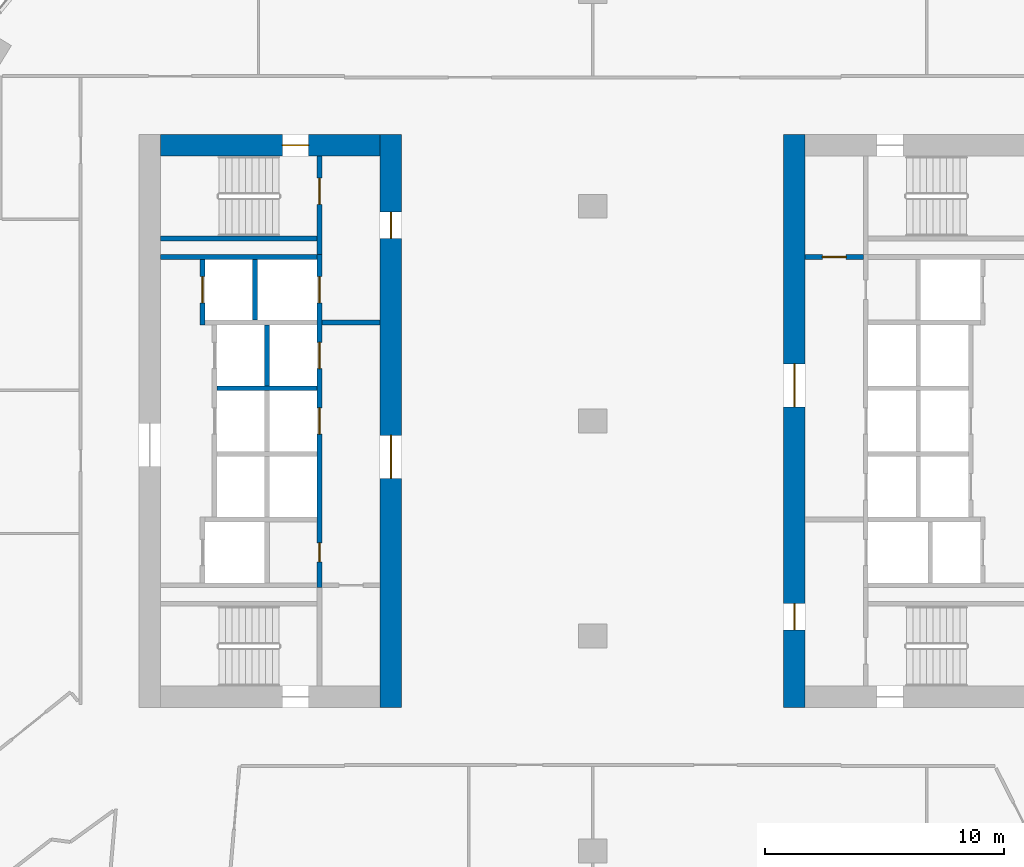
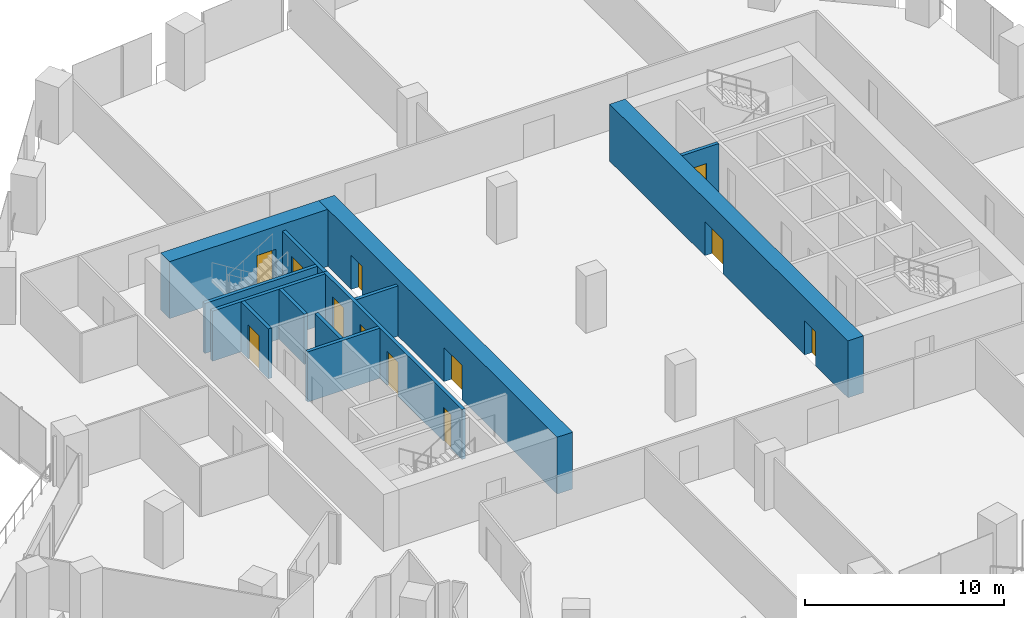
# One storey, part 25 of 34: 13 walls, 12 doors, 12 openings.
"""IFC4 building model written with IfcOpenShell, lengths in metres."""

from ifc_helpers import new_model, si_unit, direction, frame, frame_2d, origin, place, context, subcontext, project, spatial, rectangle, extrude, material, layer, layer_set, type_object, element, fill, save


model = new_model("IFC4")

# Units and contexts
model_context = context("Model", 3, precision=1e-05, world=origin(), true_north=direction((0.0, 1.0)))
body_context = subcontext(model_context, "Body", "Model", "MODEL_VIEW")
ifc_project = project(units=[si_unit("LENGTHUNIT", "METRE"), si_unit("AREAUNIT", "SQUARE_METRE"), si_unit("VOLUMEUNIT", "CUBIC_METRE"), si_unit("PLANEANGLEUNIT", "RADIAN"), si_unit("MASSUNIT", "GRAM", prefix="KILO")], contexts=[model_context])

# Site, building, storey
site_placement = place(None, origin())
site = spatial("IfcSite", under=ifc_project, at=site_placement, CompositionType="ELEMENT")
building_placement = place(site_placement, origin())
building = spatial("IfcBuilding", under=site, at=building_placement, Name="Orlundy Tower", CompositionType="ELEMENT")
storey_placement = place(building_placement, frame((0.0, 0.0, 37.300048828125)))
storey = spatial("IfcBuildingStorey", under=building, at=storey_placement, Name="L07", CompositionType="ELEMENT", Elevation=37.300048828125)

# Wall, opening, door
ifc_material_1 = material(Name="Concrete C80/95", Category="concrete")
ifc_layer_1 = layer(ifc_material_1, 0.89990234375)
ifc_layer_set_1 = layer_set([ifc_layer_1], Name="CORE WALL 900 C80/95")
wall_type_1 = type_object("IfcWallType", Name="CORE WALL 900 C80/95", PredefinedType="SHEAR", material=ifc_layer_set_1)
wall_1_placement = place(storey_placement, frame((-18.10009765625, 11.550048828125, 0.0), z_axis=(0.0, 0.0, 1.0), x_axis=(1.0, 0.0, 0.0)))
wall_1 = element("IfcWall", 1, at=wall_1_placement, inside=storey, type_object=wall_type_1, Name="Core wall W-N L07", PredefinedType="SHEAR", context=body_context, shape_type="SweptSolid", body=[
    extrude(rectangle(XDim=9.2001953125, YDim=0.89990234375, at=frame_2d((4.60009765625, 0.0))), origin(), (0.0, 0.0, 1.0), 3.5),
])
opening_1_placement = place(wall_1_placement, frame((5.10009765625, 0.0, 0.0)))
opening_1 = element("IfcOpeningElement", 2, at=opening_1_placement, cuts=wall_1, Name="Opening 08012", PredefinedType="OPENING", context=body_context, shape_type="SweptSolid", body=[
    extrude(rectangle(XDim=1.10009765625, YDim=2.10009765625, at=frame_2d((0.550048828125, 1.050048828125))), frame((0.0, 0.4599609375, 0.0), z_axis=(0.0, -1.0, 0.0), x_axis=(1.0, 0.0, 0.0)), (0.0, 0.0, 1.0), 0.919921875),
])
ifc_material_2 = material(Name="Steel door set", Category="steel")
door_type_1 = type_object("IfcDoorType", Name="Stair Door 1100x2100", OperationType="SINGLE_SWING_LEFT", PredefinedType="DOOR", material=ifc_material_2)
door_1_placement = place(opening_1_placement, origin())
door_1 = element("IfcDoor", 3, at=door_1_placement, inside=storey, type_object=door_type_1, Name="Stair door 08012", OperationType="SINGLE_SWING_RIGHT", OverallHeight=2.10009765625, OverallWidth=1.10009765625, PredefinedType="DOOR", context=body_context, shape_type="SweptSolid", body=[
    extrude(rectangle(XDim=1.10009765625, YDim=2.10009765625, at=frame_2d((0.550048828125, 1.050048828125))), frame((0.0, 0.02490234375, 0.0), z_axis=(0.0, -1.0, 0.0), x_axis=(1.0, 0.0, 0.0)), (0.0, 0.0, 1.0), 0.050048828125),
])
fill(opening_1, door_1)

# Wall, openings, doors
wall_2_placement = place(storey_placement, frame((-8.449951171875, -12.0, 0.0), z_axis=(0.0, 0.0, 1.0), x_axis=(0.0, 1.0, 0.0)))
wall_2 = element("IfcWall", 4, at=wall_2_placement, inside=storey, type_object=wall_type_1, Name="Core wall W-E L07", PredefinedType="SHEAR", context=body_context, shape_type="SweptSolid", body=[
    extrude(rectangle(XDim=24.0, YDim=0.89990234375, at=frame_2d((12.0, 0.0))), origin(), (0.0, 0.0, 1.0), 3.5),
])
opening_2_placement = place(wall_2_placement, frame((9.60009765625, 0.0, 0.0)))
opening_2 = element("IfcOpeningElement", 5, at=opening_2_placement, cuts=wall_2, Name="Opening 08009", PredefinedType="OPENING", context=body_context, shape_type="SweptSolid", body=[
    extrude(rectangle(XDim=1.800048828125, YDim=2.10009765625, at=frame_2d((0.89990234375, 1.050048828125))), frame((0.0, 0.4599609375, 0.0), z_axis=(0.0, -1.0, 0.0), x_axis=(1.0, 0.0, 0.0)), (0.0, 0.0, 1.0), 0.919921875),
])
opening_3_placement = place(wall_2_placement, frame((19.64990234375, 0.0, 0.0)))
opening_3 = element("IfcOpeningElement", 6, at=opening_3_placement, cuts=wall_2, Name="Opening 08011", PredefinedType="OPENING", context=body_context, shape_type="SweptSolid", body=[
    extrude(rectangle(XDim=1.10009765625, YDim=2.10009765625, at=frame_2d((0.550048828125, 1.050048828125))), frame((0.0, 0.4599609375, 0.0), z_axis=(0.0, -1.0, 0.0), x_axis=(1.0, 0.0, 0.0)), (0.0, 0.0, 1.0), 0.919921875),
])
ifc_material_3 = material(Name="Steel door set", Category="steel")
door_type_2 = type_object("IfcDoorType", Name="Fire-fighting Lobby Door 1100x2100", OperationType="SINGLE_SWING_LEFT", PredefinedType="DOOR", material=ifc_material_3)
door_2_placement = place(opening_3_placement, origin())
door_2 = element("IfcDoor", 7, at=door_2_placement, inside=storey, type_object=door_type_2, Name="Fire-fighting lobby door 08011", OperationType="SINGLE_SWING_RIGHT", OverallHeight=2.10009765625, OverallWidth=1.10009765625, PredefinedType="DOOR", context=body_context, shape_type="SweptSolid", body=[
    extrude(rectangle(XDim=1.10009765625, YDim=2.10009765625, at=frame_2d((0.550048828125, 1.050048828125))), frame((0.0, 0.02490234375, 0.0), z_axis=(0.0, -1.0, 0.0), x_axis=(1.0, 0.0, 0.0)), (0.0, 0.0, 1.0), 0.050048828125),
])
fill(opening_3, door_2)
ifc_material_4 = material(Name="Timber door set", Category="wood")
door_type_3 = type_object("IfcDoorType", Name="Lobby Door 1800x2100", OperationType="DOUBLE_DOOR_DOUBLE_SWING", PredefinedType="DOOR", material=ifc_material_4)
door_3_placement = place(opening_2_placement, origin())
door_3 = element("IfcDoor", 8, at=door_3_placement, inside=storey, type_object=door_type_3, Name="Lift lobby door 08009", OperationType="SINGLE_SWING_LEFT", OverallHeight=2.10009765625, OverallWidth=1.800048828125, PredefinedType="DOOR", context=body_context, shape_type="SweptSolid", body=[
    extrude(rectangle(XDim=1.800048828125, YDim=2.10009765625, at=frame_2d((0.89990234375, 1.050048828125))), frame((0.0, 0.02490234375, 0.0), z_axis=(0.0, -1.0, 0.0), x_axis=(1.0, 0.0, 0.0)), (0.0, 0.0, 1.0), 0.050048828125),
])
fill(opening_2, door_3)

wall_3_placement = place(storey_placement, frame((8.449951171875, -12.0, 0.0), z_axis=(0.0, 0.0, 1.0), x_axis=(0.0, 1.0, 0.0)))
wall_3 = element("IfcWall", 9, at=wall_3_placement, inside=storey, type_object=wall_type_1, Name="Core wall E-W L07", PredefinedType="SHEAR", context=body_context, shape_type="SweptSolid", body=[
    extrude(rectangle(XDim=24.0, YDim=0.89990234375, at=frame_2d((12.0, 0.0))), origin(), (0.0, 0.0, 1.0), 3.5),
])
opening_4_placement = place(wall_3_placement, frame((12.60009765625, 0.0, 0.0)))
opening_4 = element("IfcOpeningElement", 10, at=opening_4_placement, cuts=wall_3, Name="Opening 08058", PredefinedType="OPENING", context=body_context, shape_type="SweptSolid", body=[
    extrude(rectangle(XDim=1.800048828125, YDim=2.10009765625, at=frame_2d((0.89990234375, 1.050048828125))), frame((0.0, 0.4599609375, 0.0), z_axis=(0.0, -1.0, 0.0), x_axis=(1.0, 0.0, 0.0)), (0.0, 0.0, 1.0), 0.919921875),
])
opening_5_placement = place(wall_3_placement, frame((3.25, 0.0, 0.0)))
opening_5 = element("IfcOpeningElement", 11, at=opening_5_placement, cuts=wall_3, Name="Opening 08060", PredefinedType="OPENING", context=body_context, shape_type="SweptSolid", body=[
    extrude(rectangle(XDim=1.10009765625, YDim=2.10009765625, at=frame_2d((0.550048828125, 1.050048828125))), frame((0.0, 0.4599609375, 0.0), z_axis=(0.0, -1.0, 0.0), x_axis=(1.0, 0.0, 0.0)), (0.0, 0.0, 1.0), 0.919921875),
])
door_4_placement = place(opening_5_placement, origin())
door_4 = element("IfcDoor", 12, at=door_4_placement, inside=storey, type_object=door_type_2, Name="Fire-fighting lobby door 08060", OperationType="SINGLE_SWING_LEFT", OverallHeight=2.10009765625, OverallWidth=1.10009765625, PredefinedType="DOOR", context=body_context, shape_type="SweptSolid", body=[
    extrude(rectangle(XDim=1.10009765625, YDim=2.10009765625, at=frame_2d((0.550048828125, 1.050048828125))), frame((0.0, 0.02490234375, 0.0), z_axis=(0.0, -1.0, 0.0), x_axis=(1.0, 0.0, 0.0)), (0.0, 0.0, 1.0), 0.050048828125),
])
fill(opening_5, door_4)
door_5_placement = place(opening_4_placement, origin())
door_5 = element("IfcDoor", 13, at=door_5_placement, inside=storey, type_object=door_type_3, Name="Lift lobby door 08058", OperationType="SINGLE_SWING_RIGHT", OverallHeight=2.10009765625, OverallWidth=1.800048828125, PredefinedType="DOOR", context=body_context, shape_type="SweptSolid", body=[
    extrude(rectangle(XDim=1.800048828125, YDim=2.10009765625, at=frame_2d((0.89990234375, 1.050048828125))), frame((0.0, 0.02490234375, 0.0), z_axis=(0.0, -1.0, 0.0), x_axis=(1.0, 0.0, 0.0)), (0.0, 0.0, 1.0), 0.050048828125),
])
fill(opening_4, door_5)

# Wall, opening, door
ifc_material_5 = material(Name="Concrete C40/50", Category="concrete")
ifc_layer_2 = layer(ifc_material_5, 0.199951171875)
ifc_layer_set_2 = layer_set([ifc_layer_2], Name="Load-bearing Shaft Wall 200")
wall_type_2 = type_object("IfcWallType", Name="Load-bearing Shaft Wall 200", PredefinedType="SOLIDWALL", material=ifc_layer_set_2)
wall_4_placement = place(storey_placement, frame((-11.43994140625, 6.97509765625, 0.0), z_axis=(0.0, 0.0, 1.0), x_axis=(0.0, 1.0, 0.0)))
wall_4 = element("IfcWall", 14, at=wall_4_placement, inside=storey, type_object=wall_type_2, Name="Shaft wall W08-stair-end-n", PredefinedType="SOLIDWALL", context=body_context, shape_type="SweptSolid", body=[
    extrude(rectangle(XDim=4.125, YDim=0.199951171875, at=frame_2d((2.0625, 0.0))), origin(), (0.0, 0.0, 1.0), 3.079833984375),
])
opening_6_placement = place(wall_4_placement, frame((2.10009765625, 0.0, 0.0)))
opening_6 = element("IfcOpeningElement", 15, at=opening_6_placement, cuts=wall_4, Name="Opening 08014", PredefinedType="OPENING", context=body_context, shape_type="SweptSolid", body=[
    extrude(rectangle(XDim=1.10009765625, YDim=2.10009765625, at=frame_2d((0.550048828125, 1.050048828125))), frame((0.0, 0.110107421875, 0.0), z_axis=(0.0, -1.0, 0.0), x_axis=(1.0, 0.0, 0.0)), (0.0, 0.0, 1.0), 0.22021484375),
])
door_6_placement = place(opening_6_placement, origin())
door_6 = element("IfcDoor", 16, at=door_6_placement, inside=storey, type_object=door_type_2, Name="Fire-fighting lobby to stair door 08014", OperationType="SINGLE_SWING_RIGHT", OverallHeight=2.10009765625, OverallWidth=1.10009765625, PredefinedType="DOOR", context=body_context, shape_type="SweptSolid", body=[
    extrude(rectangle(XDim=1.10009765625, YDim=2.10009765625, at=frame_2d((0.550048828125, 1.050048828125))), frame((0.0, 0.02490234375, 0.0), z_axis=(0.0, -1.0, 0.0), x_axis=(1.0, 0.0, 0.0)), (0.0, 0.0, 1.0), 0.050048828125),
])
fill(opening_6, door_6)

# Walls
wall_5_placement = place(storey_placement, frame((-11.5400390625, 7.64990234375, 0.0), z_axis=(0.0, 0.0, 1.0), x_axis=(-1.0, 0.0, 0.0)))
element("IfcWall", 17, at=wall_5_placement, inside=storey, type_object=wall_type_2, Name="Shaft wall W08-stair-side-n", PredefinedType="SOLIDWALL", context=body_context, shape_type="SweptSolid", body=[
    extrude(rectangle(XDim=6.56005859375, YDim=0.199951171875, at=frame_2d((3.280029296875, 0.0))), origin(), (0.0, 0.0, 1.0), 3.079833984375),
])
ifc_material_6 = material(Name="Gypsum board partition on steel studs", Category="steel")
ifc_layer_3 = layer(ifc_material_6, 0.199951171875)
ifc_layer_set_3 = layer_set([ifc_layer_3], Name="Partition 200")
wall_type_3 = type_object("IfcWallType", Name="Partition 200", PredefinedType="PARTITIONING", material=ifc_layer_set_3)
wall_6_placement = place(storey_placement, frame((-8.89990234375, 4.125, 0.0), z_axis=(0.0, 0.0, 1.0), x_axis=(-1.0, 0.0, 0.0)))
element("IfcWall", 18, at=wall_6_placement, inside=storey, type_object=wall_type_3, Name="Partition wall W08-lobby-n", PredefinedType="PARTITIONING", context=body_context, shape_type="SweptSolid", body=[
    extrude(rectangle(XDim=2.440185546875, YDim=0.199951171875, at=frame_2d((1.22021484375, 0.0))), origin(), (0.0, 0.0, 1.0), 3.079833984375),
])

# Wall, opening, door
wall_7_placement = place(storey_placement, frame((8.89990234375, 6.875, 0.0), z_axis=(0.0, 0.0, 1.0), x_axis=(1.0, 0.0, 0.0)))
wall_7 = element("IfcWall", 19, at=wall_7_placement, inside=storey, type_object=wall_type_3, Name="Partition wall E08-end-s", PredefinedType="PARTITIONING", context=body_context, shape_type="SweptSolid", body=[
    extrude(rectangle(XDim=2.440185546875, YDim=0.199951171875, at=frame_2d((1.22021484375, 0.0))), origin(), (0.0, 0.0, 1.0), 3.079833984375),
])
opening_7_placement = place(wall_7_placement, frame((0.719970703125, 0.0, 0.0)))
opening_7 = element("IfcOpeningElement", 20, at=opening_7_placement, cuts=wall_7, Name="Opening 08064", PredefinedType="OPENING", context=body_context, shape_type="SweptSolid", body=[
    extrude(rectangle(XDim=1.0, YDim=2.10009765625, at=frame_2d((0.5, 1.050048828125))), frame((0.0, 0.110107421875, 0.0), z_axis=(0.0, -1.0, 0.0), x_axis=(1.0, 0.0, 0.0)), (0.0, 0.0, 1.0), 0.22021484375),
])
ifc_material_7 = material(Name="Timber door set", Category="wood")
door_type_4 = type_object("IfcDoorType", Name="Accessible Door 1000x2100", OperationType="SINGLE_SWING_LEFT", PredefinedType="DOOR", material=ifc_material_7)
door_7_placement = place(opening_7_placement, origin())
door_7 = element("IfcDoor", 21, at=door_7_placement, inside=storey, type_object=door_type_4, Name="Accessible WC door 08064", OperationType="SINGLE_SWING_RIGHT", OverallHeight=2.10009765625, OverallWidth=1.0, PredefinedType="DOOR", context=body_context, shape_type="SweptSolid", body=[
    extrude(rectangle(XDim=1.0, YDim=2.10009765625, at=frame_2d((0.5, 1.050048828125))), frame((0.0, 0.02490234375, 0.0), z_axis=(0.0, -1.0, 0.0), x_axis=(1.0, 0.0, 0.0)), (0.0, 0.0, 1.0), 0.050048828125),
])
fill(opening_7, door_7)

# Walls
ifc_material_8 = material(Name="Fire-rated blockwork shaft wall", Category="masonry")
ifc_layer_4 = layer(ifc_material_8, 0.199951171875)
ifc_layer_set_4 = layer_set([ifc_layer_4], Name="Shaft Wall 200")
wall_type_4 = type_object("IfcWallType", Name="Shaft Wall 200", PredefinedType="SOLIDWALL", material=ifc_layer_set_4)
wall_8_placement = place(storey_placement, frame((-11.5400390625, 6.875, 0.0), z_axis=(0.0, 0.0, 1.0), x_axis=(-1.0, 0.0, 0.0)))
element("IfcWall", 22, at=wall_8_placement, inside=storey, type_object=wall_type_4, Name="Shaft wall W08-zone-n", PredefinedType="SOLIDWALL", context=body_context, shape_type="SweptSolid", body=[
    extrude(rectangle(XDim=6.56005859375, YDim=0.199951171875, at=frame_2d((3.280029296875, 0.0))), origin(), (0.0, 0.0, 1.0), 3.079833984375),
])
wall_9_placement = place(storey_placement, frame((-11.5400390625, 1.375, 0.0), z_axis=(0.0, 0.0, 1.0), x_axis=(-1.0, 0.0, 0.0)))
element("IfcWall", 23, at=wall_9_placement, inside=storey, type_object=wall_type_4, Name="Shaft wall W08-cross+1.375", PredefinedType="SOLIDWALL", context=body_context, shape_type="SweptSolid", body=[
    extrude(rectangle(XDim=4.199951171875, YDim=0.199951171875, at=frame_2d((2.10009765625, 0.0))), origin(), (0.0, 0.0, 1.0), 3.079833984375),
])

# Wall, openings, doors
wall_10_placement = place(storey_placement, frame((-11.43994140625, -6.97509765625, 0.0), z_axis=(0.0, 0.0, 1.0), x_axis=(0.0, 1.0, 0.0)))
wall_10 = element("IfcWall", 24, at=wall_10_placement, inside=storey, type_object=wall_type_4, Name="Shaft wall W08-front-h", PredefinedType="SOLIDWALL", context=body_context, shape_type="SweptSolid", body=[
    extrude(rectangle(XDim=13.9501953125, YDim=0.199951171875, at=frame_2d((6.97509765625, 0.0))), origin(), (0.0, 0.0, 1.0), 3.079833984375),
])
opening_8_placement = place(wall_10_placement, frame((6.425048828125, 0.0, 0.0)))
opening_8 = element("IfcOpeningElement", 25, at=opening_8_placement, cuts=wall_10, Name="Opening 08002", PredefinedType="OPENING", context=body_context, shape_type="SweptSolid", body=[
    extrude(rectangle(XDim=1.10009765625, YDim=2.10009765625, at=frame_2d((0.550048828125, 1.050048828125))), frame((0.0, 0.110107421875, 0.0), z_axis=(0.0, -1.0, 0.0), x_axis=(1.0, 0.0, 0.0)), (0.0, 0.0, 1.0), 0.22021484375),
])
opening_9_placement = place(wall_10_placement, frame((9.175048828125, 0.0, 0.0)))
opening_9 = element("IfcOpeningElement", 26, at=opening_9_placement, cuts=wall_10, Name="Opening 08004", PredefinedType="OPENING", context=body_context, shape_type="SweptSolid", body=[
    extrude(rectangle(XDim=1.10009765625, YDim=2.10009765625, at=frame_2d((0.550048828125, 1.050048828125))), frame((0.0, 0.110107421875, 0.0), z_axis=(0.0, -1.0, 0.0), x_axis=(1.0, 0.0, 0.0)), (0.0, 0.0, 1.0), 0.22021484375),
])
opening_10_placement = place(wall_10_placement, frame((11.925048828125, 0.0, 0.0)))
opening_10 = element("IfcOpeningElement", 27, at=opening_10_placement, cuts=wall_10, Name="Opening 08006", PredefinedType="OPENING", context=body_context, shape_type="SweptSolid", body=[
    extrude(rectangle(XDim=1.10009765625, YDim=2.10009765625, at=frame_2d((0.550048828125, 1.050048828125))), frame((0.0, 0.110107421875, 0.0), z_axis=(0.0, -1.0, 0.0), x_axis=(1.0, 0.0, 0.0)), (0.0, 0.0, 1.0), 0.22021484375),
])
opening_11_placement = place(wall_10_placement, frame((1.074951171875, 0.0, 0.0)))
opening_11 = element("IfcOpeningElement", 28, at=opening_11_placement, cuts=wall_10, Name="Opening 08008", PredefinedType="OPENING", context=body_context, shape_type="SweptSolid", body=[
    extrude(rectangle(XDim=0.800048828125, YDim=2.10009765625, at=frame_2d((0.39990234375, 1.050048828125))), frame((0.0, 0.110107421875, 0.0), z_axis=(0.0, -1.0, 0.0), x_axis=(1.0, 0.0, 0.0)), (0.0, 0.0, 1.0), 0.22021484375),
])
ifc_material_9 = material(Name="Steel door set", Category="steel")
door_type_5 = type_object("IfcDoorType", Name="Landing Door 1100x2100", OperationType="DOUBLE_DOOR_SLIDING", PredefinedType="DOOR", material=ifc_material_9)
door_8_placement = place(opening_8_placement, origin())
door_8 = element("IfcDoor", 29, at=door_8_placement, inside=storey, type_object=door_type_5, Name="Lift landing door LP-05 08002", OperationType="DOUBLE_DOOR_SLIDING", OverallHeight=2.10009765625, OverallWidth=1.10009765625, PredefinedType="DOOR", context=body_context, shape_type="SweptSolid", body=[
    extrude(rectangle(XDim=1.10009765625, YDim=2.10009765625, at=frame_2d((0.550048828125, 1.050048828125))), frame((0.0, 0.02490234375, 0.0), z_axis=(0.0, -1.0, 0.0), x_axis=(1.0, 0.0, 0.0)), (0.0, 0.0, 1.0), 0.050048828125),
])
fill(opening_8, door_8)
door_9_placement = place(opening_9_placement, origin())
door_9 = element("IfcDoor", 30, at=door_9_placement, inside=storey, type_object=door_type_5, Name="Lift landing door LP-02 08004", OperationType="DOUBLE_DOOR_SLIDING", OverallHeight=2.10009765625, OverallWidth=1.10009765625, PredefinedType="DOOR", context=body_context, shape_type="SweptSolid", body=[
    extrude(rectangle(XDim=1.10009765625, YDim=2.10009765625, at=frame_2d((0.550048828125, 1.050048828125))), frame((0.0, 0.02490234375, 0.0), z_axis=(0.0, -1.0, 0.0), x_axis=(1.0, 0.0, 0.0)), (0.0, 0.0, 1.0), 0.050048828125),
])
fill(opening_9, door_9)
door_10_placement = place(opening_10_placement, origin())
door_10 = element("IfcDoor", 31, at=door_10_placement, inside=storey, type_object=door_type_5, Name="Lift landing door FL1 08006", OperationType="DOUBLE_DOOR_SLIDING", OverallHeight=2.10009765625, OverallWidth=1.10009765625, PredefinedType="DOOR", context=body_context, shape_type="SweptSolid", body=[
    extrude(rectangle(XDim=1.10009765625, YDim=2.10009765625, at=frame_2d((0.550048828125, 1.050048828125))), frame((0.0, 0.02490234375, 0.0), z_axis=(0.0, -1.0, 0.0), x_axis=(1.0, 0.0, 0.0)), (0.0, 0.0, 1.0), 0.050048828125),
])
fill(opening_10, door_10)
ifc_material_10 = material(Name="Timber door set", Category="wood")
door_type_6 = type_object("IfcDoorType", Name="Riser Door 800x2100", OperationType="SINGLE_SWING_LEFT", PredefinedType="DOOR", material=ifc_material_10)
door_11_placement = place(opening_11_placement, origin())
door_11 = element("IfcDoor", 32, at=door_11_placement, inside=storey, type_object=door_type_6, Name="Telecom Room door 08008", OperationType="SINGLE_SWING_LEFT", OverallHeight=2.10009765625, OverallWidth=0.800048828125, PredefinedType="DOOR", context=body_context, shape_type="SweptSolid", body=[
    extrude(rectangle(XDim=0.800048828125, YDim=2.10009765625, at=frame_2d((0.39990234375, 1.050048828125))), frame((0.0, 0.02490234375, 0.0), z_axis=(0.0, -1.0, 0.0), x_axis=(1.0, 0.0, 0.0)), (0.0, 0.0, 1.0), 0.050048828125),
])
fill(opening_11, door_11)

# Walls
for number, where, z_axis, x_axis, name in (
    (33, (-13.639892578125, 1.47509765625, 0.0), (0.0, 0.0, 1.0), (0.0, 1.0, 0.0), "Shaft wall W08-mid-a.3"),
    (34, (-14.139892578125, 4.22509765625, 0.0), (0.0, 0.0, 1.0), (0.0, 1.0, 0.0), "Shaft wall W08-mid-b"),
):
    element("IfcWall", number, at=place(storey_placement, frame(where, z_axis=z_axis, x_axis=x_axis)), inside=storey, type_object=wall_type_4, Name=name, PredefinedType="SOLIDWALL", context=body_context, shape_type="SweptSolid", body=[
        extrude(rectangle(XDim=2.5498046875, YDim=0.199951171875, at=frame_2d((1.27490234375, 0.0))), origin(), (0.0, 0.0, 1.0), 3.079833984375),
    ])

# Wall, opening, door
wall_11_placement = place(storey_placement, frame((-16.340087890625, 4.02490234375, 0.0), z_axis=(0.0, 0.0, 1.0), x_axis=(0.0, 1.0, 0.0)))
wall_11 = element("IfcWall", 35, at=wall_11_placement, inside=storey, type_object=wall_type_4, Name="Shaft wall W08-front-o-c", PredefinedType="SOLIDWALL", context=body_context, shape_type="SweptSolid", body=[
    extrude(rectangle(XDim=2.75, YDim=0.199951171875, at=frame_2d((1.375, 0.0))), origin(), (0.0, 0.0, 1.0), 3.079833984375),
])
opening_12_placement = place(wall_11_placement, frame((0.925048828125, 0.0, 0.0)))
opening_12 = element("IfcOpeningElement", 36, at=opening_12_placement, cuts=wall_11, Name="Opening 08007", PredefinedType="OPENING", context=body_context, shape_type="SweptSolid", body=[
    extrude(rectangle(XDim=1.10009765625, YDim=2.10009765625, at=frame_2d((0.550048828125, 1.050048828125))), frame((0.0, 0.110107421875, 0.0), z_axis=(0.0, -1.0, 0.0), x_axis=(1.0, 0.0, 0.0)), (0.0, 0.0, 1.0), 0.22021484375),
])
door_12_placement = place(opening_12_placement, origin())
door_12 = element("IfcDoor", 37, at=door_12_placement, inside=storey, type_object=door_type_5, Name="Lift landing door LP-04 08007", OperationType="DOUBLE_DOOR_SLIDING", OverallHeight=2.10009765625, OverallWidth=1.10009765625, PredefinedType="DOOR", context=body_context, shape_type="SweptSolid", body=[
    extrude(rectangle(XDim=1.10009765625, YDim=2.10009765625, at=frame_2d((0.550048828125, 1.050048828125))), frame((0.0, 0.02490234375, 0.0), z_axis=(0.0, -1.0, 0.0), x_axis=(1.0, 0.0, 0.0)), (0.0, 0.0, 1.0), 0.050048828125),
])
fill(opening_12, door_12)

save(model, "model.ifc")
